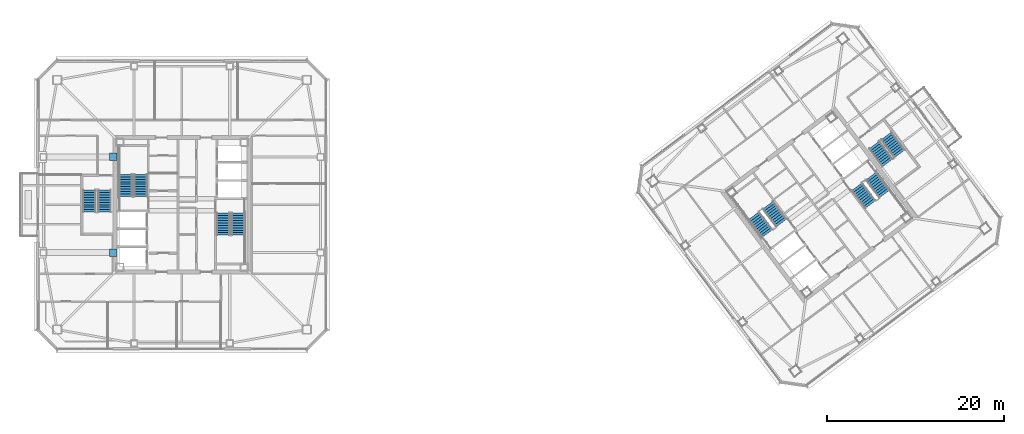
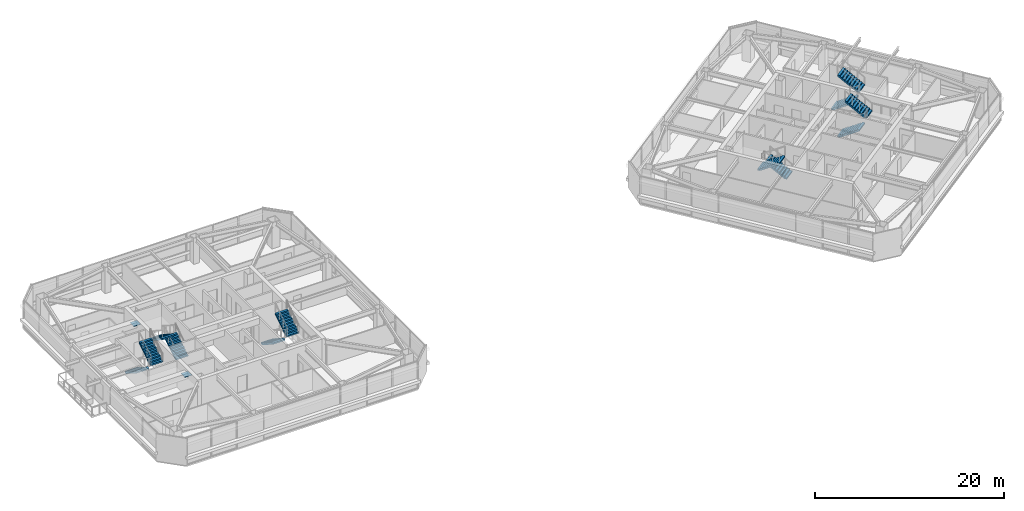
# One storey, part 33 of 39: 12 stair flights, 2 discrete accessories, 6 elements without a shape of their own.
"""IFC4 building model written with IfcOpenShell, lengths in metres."""

from ifc_helpers import new_model, si_unit, direction, frame, origin, origin_2d, place, context, subcontext, project, spatial, polyline, rectangle, outline, extrude, material, type_object, element, aggregate, save


model = new_model("IFC4")

# Units and contexts
model_context = context("Model", 3, precision=1e-05, world=origin(), true_north=direction((0.0, 1.0)))
body_context = subcontext(model_context, "Body", "Model", "MODEL_VIEW")
ifc_project = project(units=[si_unit("LENGTHUNIT", "METRE"), si_unit("AREAUNIT", "SQUARE_METRE"), si_unit("VOLUMEUNIT", "CUBIC_METRE"), si_unit("PLANEANGLEUNIT", "RADIAN"), si_unit("MASSUNIT", "GRAM", prefix="KILO")], contexts=[model_context])

# Site, building, storey
site_placement = place(None, origin())
site = spatial("IfcSite", under=ifc_project, at=site_placement, CompositionType="ELEMENT")
building_placement = place(site_placement, origin())
building = spatial("IfcBuilding", under=site, at=building_placement, Name="Tashvorn Skyway Center", CompositionType="ELEMENT")
storey_placement = place(building_placement, frame((0.0, 0.0, 214.85009765625)))
storey = spatial("IfcBuildingStorey", under=building, at=storey_placement, Name="L58", CompositionType="ELEMENT", Elevation=214.85009765625)

# Stair, stair flights
ifc_material_1 = material(Name="Concrete C40/50", Category="concrete")
stair_type = type_object("IfcStairType", Name="STAIR-CORE-1500", PredefinedType="HALF_TURN_STAIR", material=ifc_material_1)
stair_1_placement = place(storey_placement, origin())
stair_1 = element("IfcStair", 1, at=stair_1_placement, inside=storey, type_object=stair_type, Name="L58 Tower 1 Exit Stair 1", PredefinedType="HALF_TURN_STAIR")
stair_flight_type = type_object("IfcStairFlightType", Name="SFLIGHT-1500", PredefinedType="STRAIGHT", material=ifc_material_1)
stair_flight_1_placement = place(storey_placement, frame((37.35009765625, 32.919921875, 0.0), z_axis=(0.0, 0.0, 1.0), x_axis=(0.0, 1.0, 0.0)))
stair_flight_1 = element("IfcStairFlight", 2, at=stair_flight_1_placement, type_object=stair_flight_type, Name="ST-T1-1 flight 1", NumberOfRisers=10, NumberOfTreads=9, PredefinedType="STRAIGHT", RiserHeight=0.1775, TreadLength=0.28, context=body_context, shape_type="SweptSolid", body=[
    extrude(outline(polyline([(0.0, 0.0), (0.0, 0.177490234375), (0.280029296875, 0.177490234375), (0.280029296875, 0.35498046875), (0.56005859375, 0.35498046875), (0.56005859375, 0.532470703125), (0.840087890625, 0.532470703125), (0.840087890625, 0.7099609375), (1.1201171875, 0.7099609375), (1.1201171875, 0.887451171875), (1.39990234375, 0.887451171875), (1.39990234375, 1.06494140625), (1.679931640625, 1.06494140625), (1.679931640625, 1.242431640625), (1.9599609375, 1.242431640625), (1.9599609375, 1.419921875), (2.239990234375, 1.419921875), (2.239990234375, 1.597412109375), (2.52001953125, 1.597412109375), (2.52001953125, 1.77490234375), (2.52001953125, 1.419921875), (0.280029296875, 0.0), (0.0, 0.0)])), frame((0.0, 0.75, 0.0), z_axis=(0.0, -1.0, 0.0), x_axis=(1.0, 0.0, 0.0)), (0.0, 0.0, 1.0), 1.5),
])
stair_flight_2_placement = place(storey_placement, frame((35.64990234375, 35.43994140625, 1.77490234375), z_axis=(0.0, 0.0, 1.0), x_axis=(0.0, -1.0, 0.0)))
stair_flight_2 = element("IfcStairFlight", 3, at=stair_flight_2_placement, type_object=stair_flight_type, Name="ST-T1-1 flight 2", NumberOfRisers=10, NumberOfTreads=9, PredefinedType="STRAIGHT", RiserHeight=0.1775, TreadLength=0.28, context=body_context, shape_type="SweptSolid", body=[
    extrude(outline(polyline([(0.0, 0.0), (0.0, 0.177490234375), (0.280029296875, 0.177490234375), (0.280029296875, 0.35498046875), (0.56005859375, 0.35498046875), (0.56005859375, 0.532470703125), (0.840087890625, 0.532470703125), (0.840087890625, 0.7099609375), (1.1201171875, 0.7099609375), (1.1201171875, 0.887451171875), (1.39990234375, 0.887451171875), (1.39990234375, 1.06494140625), (1.679931640625, 1.06494140625), (1.679931640625, 1.242431640625), (1.9599609375, 1.242431640625), (1.9599609375, 1.419921875), (2.239990234375, 1.419921875), (2.239990234375, 1.597412109375), (2.52001953125, 1.597412109375), (2.52001953125, 1.77490234375), (2.52001953125, 1.419921875), (0.280029296875, 0.0), (0.0, 0.0)])), frame((0.0, 0.75, 0.0), z_axis=(0.0, -1.0, 0.0), x_axis=(1.0, 0.0, 0.0)), (0.0, 0.0, 1.0), 1.5),
])
aggregate(stair_1, [stair_flight_1, stair_flight_2])

stair_2_placement = place(storey_placement, origin())
stair_2 = element("IfcStair", 4, at=stair_2_placement, inside=storey, type_object=stair_type, Name="L58 Tower 1 Exit Stair 2", PredefinedType="HALF_TURN_STAIR")
stair_flight_3_placement = place(storey_placement, frame((46.64990234375, 31.080078125, 0.0), z_axis=(0.0, 0.0, 1.0), x_axis=(0.0, -1.0, 0.0)))
stair_flight_3 = element("IfcStairFlight", 5, at=stair_flight_3_placement, type_object=stair_flight_type, Name="ST-T1-2 flight 1", NumberOfRisers=10, NumberOfTreads=9, PredefinedType="STRAIGHT", RiserHeight=0.1775, TreadLength=0.28, context=body_context, shape_type="SweptSolid", body=[
    extrude(outline(polyline([(0.0, 0.0), (0.0, 0.177490234375), (0.280029296875, 0.177490234375), (0.280029296875, 0.35498046875), (0.56005859375, 0.35498046875), (0.56005859375, 0.532470703125), (0.840087890625, 0.532470703125), (0.840087890625, 0.7099609375), (1.1201171875, 0.7099609375), (1.1201171875, 0.887451171875), (1.39990234375, 0.887451171875), (1.39990234375, 1.06494140625), (1.679931640625, 1.06494140625), (1.679931640625, 1.242431640625), (1.9599609375, 1.242431640625), (1.9599609375, 1.419921875), (2.239990234375, 1.419921875), (2.239990234375, 1.597412109375), (2.52001953125, 1.597412109375), (2.52001953125, 1.77490234375), (2.52001953125, 1.419921875), (0.280029296875, 0.0), (0.0, 0.0)])), frame((0.0, 0.75, 0.0), z_axis=(0.0, -1.0, 0.0), x_axis=(1.0, 0.0, 0.0)), (0.0, 0.0, 1.0), 1.5),
])
stair_flight_4_placement = place(storey_placement, frame((48.35009765625, 28.56005859375, 1.77490234375), z_axis=(0.0, 0.0, 1.0), x_axis=(0.0, 1.0, 0.0)))
stair_flight_4 = element("IfcStairFlight", 6, at=stair_flight_4_placement, type_object=stair_flight_type, Name="ST-T1-2 flight 2", NumberOfRisers=10, NumberOfTreads=9, PredefinedType="STRAIGHT", RiserHeight=0.1775, TreadLength=0.28, context=body_context, shape_type="SweptSolid", body=[
    extrude(outline(polyline([(0.0, 0.0), (0.0, 0.177490234375), (0.280029296875, 0.177490234375), (0.280029296875, 0.35498046875), (0.56005859375, 0.35498046875), (0.56005859375, 0.532470703125), (0.840087890625, 0.532470703125), (0.840087890625, 0.7099609375), (1.1201171875, 0.7099609375), (1.1201171875, 0.887451171875), (1.39990234375, 0.887451171875), (1.39990234375, 1.06494140625), (1.679931640625, 1.06494140625), (1.679931640625, 1.242431640625), (1.9599609375, 1.242431640625), (1.9599609375, 1.419921875), (2.239990234375, 1.419921875), (2.239990234375, 1.597412109375), (2.52001953125, 1.597412109375), (2.52001953125, 1.77490234375), (2.52001953125, 1.419921875), (0.280029296875, 0.0), (0.0, 0.0)])), frame((0.0, 0.75, 0.0), z_axis=(0.0, -1.0, 0.0), x_axis=(1.0, 0.0, 0.0)), (0.0, 0.0, 1.0), 1.5),
])
aggregate(stair_2, [stair_flight_3, stair_flight_4])

stair_3_placement = place(storey_placement, origin())
stair_3 = element("IfcStair", 7, at=stair_3_placement, inside=storey, type_object=stair_type, Name="L58 Tower 2 Exit Stair 1", PredefinedType="HALF_TURN_STAIR")
stair_flight_5_placement = place(storey_placement, frame((109.72802734375, 29.946044921875, 0.0), z_axis=(0.0, 0.0, 1.0), x_axis=(-0.600000004945, 0.799999996291, 0.0)))
stair_flight_5 = element("IfcStairFlight", 8, at=stair_flight_5_placement, type_object=stair_flight_type, Name="ST-T2-1 flight 1", NumberOfRisers=10, NumberOfTreads=9, PredefinedType="STRAIGHT", RiserHeight=0.1775, TreadLength=0.28, context=body_context, shape_type="SweptSolid", body=[
    extrude(outline(polyline([(0.0, 0.0), (0.0, 0.177490234375), (0.280029296875, 0.177490234375), (0.280029296875, 0.35498046875), (0.56005859375, 0.35498046875), (0.56005859375, 0.532470703125), (0.840087890625, 0.532470703125), (0.840087890625, 0.7099609375), (1.1201171875, 0.7099609375), (1.1201171875, 0.887451171875), (1.39990234375, 0.887451171875), (1.39990234375, 1.06494140625), (1.679931640625, 1.06494140625), (1.679931640625, 1.242431640625), (1.9599609375, 1.242431640625), (1.9599609375, 1.419921875), (2.239990234375, 1.419921875), (2.239990234375, 1.597412109375), (2.52001953125, 1.597412109375), (2.52001953125, 1.77490234375), (2.52001953125, 1.419921875), (0.280029296875, 0.0), (0.0, 0.0)])), frame((0.0, 0.75, 0.0), z_axis=(0.0, -1.0, 0.0), x_axis=(1.0, 0.0, 0.0)), (0.0, 0.0, 1.0), 1.5),
])
stair_flight_6_placement = place(storey_placement, frame((106.632080078125, 30.77392578125, 1.77490234375), z_axis=(0.0, 0.0, 1.0), x_axis=(0.600000004945, -0.799999996291, 0.0)))
stair_flight_6 = element("IfcStairFlight", 9, at=stair_flight_6_placement, type_object=stair_flight_type, Name="ST-T2-1 flight 2", NumberOfRisers=10, NumberOfTreads=9, PredefinedType="STRAIGHT", RiserHeight=0.1775, TreadLength=0.28, context=body_context, shape_type="SweptSolid", body=[
    extrude(outline(polyline([(0.0, 0.0), (0.0, 0.177490234375), (0.280029296875, 0.177490234375), (0.280029296875, 0.35498046875), (0.56005859375, 0.35498046875), (0.56005859375, 0.532470703125), (0.840087890625, 0.532470703125), (0.840087890625, 0.7099609375), (1.1201171875, 0.7099609375), (1.1201171875, 0.887451171875), (1.39990234375, 0.887451171875), (1.39990234375, 1.06494140625), (1.679931640625, 1.06494140625), (1.679931640625, 1.242431640625), (1.9599609375, 1.242431640625), (1.9599609375, 1.419921875), (2.239990234375, 1.419921875), (2.239990234375, 1.597412109375), (2.52001953125, 1.597412109375), (2.52001953125, 1.77490234375), (2.52001953125, 1.419921875), (0.280029296875, 0.0), (0.0, 0.0)])), frame((0.0, 0.75, 0.0), z_axis=(0.0, -1.0, 0.0), x_axis=(1.0, 0.0, 0.0)), (0.0, 0.0, 1.0), 1.5),
])
aggregate(stair_3, [stair_flight_5, stair_flight_6])

stair_4_placement = place(storey_placement, origin())
stair_4 = element("IfcStair", 10, at=stair_4_placement, inside=storey, type_object=stair_type, Name="L58 Tower 2 Exit Stair 2", PredefinedType="HALF_TURN_STAIR")
stair_flight_7_placement = place(storey_placement, frame((118.27197265625, 34.053955078125, 0.0), z_axis=(0.0, 0.0, 1.0), x_axis=(0.600000004945, -0.799999996291, 0.0)))
stair_flight_7 = element("IfcStairFlight", 11, at=stair_flight_7_placement, type_object=stair_flight_type, Name="ST-T2-2 flight 1", NumberOfRisers=10, NumberOfTreads=9, PredefinedType="STRAIGHT", RiserHeight=0.1775, TreadLength=0.28, context=body_context, shape_type="SweptSolid", body=[
    extrude(outline(polyline([(0.0, 0.0), (0.0, 0.177490234375), (0.280029296875, 0.177490234375), (0.280029296875, 0.35498046875), (0.56005859375, 0.35498046875), (0.56005859375, 0.532470703125), (0.840087890625, 0.532470703125), (0.840087890625, 0.7099609375), (1.1201171875, 0.7099609375), (1.1201171875, 0.887451171875), (1.39990234375, 0.887451171875), (1.39990234375, 1.06494140625), (1.679931640625, 1.06494140625), (1.679931640625, 1.242431640625), (1.9599609375, 1.242431640625), (1.9599609375, 1.419921875), (2.239990234375, 1.419921875), (2.239990234375, 1.597412109375), (2.52001953125, 1.597412109375), (2.52001953125, 1.77490234375), (2.52001953125, 1.419921875), (0.280029296875, 0.0), (0.0, 0.0)])), frame((0.0, 0.75, 0.0), z_axis=(0.0, -1.0, 0.0), x_axis=(1.0, 0.0, 0.0)), (0.0, 0.0, 1.0), 1.5),
])
stair_flight_8_placement = place(storey_placement, frame((121.367919921875, 33.22607421875, 1.77490234375), z_axis=(0.0, 0.0, 1.0), x_axis=(-0.600000004945, 0.799999996291, 0.0)))
stair_flight_8 = element("IfcStairFlight", 12, at=stair_flight_8_placement, type_object=stair_flight_type, Name="ST-T2-2 flight 2", NumberOfRisers=10, NumberOfTreads=9, PredefinedType="STRAIGHT", RiserHeight=0.1775, TreadLength=0.28, context=body_context, shape_type="SweptSolid", body=[
    extrude(outline(polyline([(0.0, 0.0), (0.0, 0.177490234375), (0.280029296875, 0.177490234375), (0.280029296875, 0.35498046875), (0.56005859375, 0.35498046875), (0.56005859375, 0.532470703125), (0.840087890625, 0.532470703125), (0.840087890625, 0.7099609375), (1.1201171875, 0.7099609375), (1.1201171875, 0.887451171875), (1.39990234375, 0.887451171875), (1.39990234375, 1.06494140625), (1.679931640625, 1.06494140625), (1.679931640625, 1.242431640625), (1.9599609375, 1.242431640625), (1.9599609375, 1.419921875), (2.239990234375, 1.419921875), (2.239990234375, 1.597412109375), (2.52001953125, 1.597412109375), (2.52001953125, 1.77490234375), (2.52001953125, 1.419921875), (0.280029296875, 0.0), (0.0, 0.0)])), frame((0.0, 0.75, 0.0), z_axis=(0.0, -1.0, 0.0), x_axis=(1.0, 0.0, 0.0)), (0.0, 0.0, 1.0), 1.5),
])
aggregate(stair_4, [stair_flight_7, stair_flight_8])

stair_5_placement = place(storey_placement, origin())
stair_5 = element("IfcStair", 13, at=stair_5_placement, inside=storey, type_object=stair_type, Name="L58 Tower 1 Exit Stair 3", PredefinedType="HALF_TURN_STAIR")
stair_flight_9_placement = place(storey_placement, frame((31.550048828125, 33.679931640625, 0.0), z_axis=(0.0, 0.0, 1.0), x_axis=(0.0, -1.0, 0.0)))
stair_flight_9 = element("IfcStairFlight", 14, at=stair_flight_9_placement, type_object=stair_flight_type, Name="ST-T1-3 flight 1", NumberOfRisers=10, NumberOfTreads=9, PredefinedType="STRAIGHT", RiserHeight=0.1775, TreadLength=0.28, context=body_context, shape_type="SweptSolid", body=[
    extrude(outline(polyline([(0.0, 0.0), (0.0, 0.177490234375), (0.280029296875, 0.177490234375), (0.280029296875, 0.35498046875), (0.56005859375, 0.35498046875), (0.56005859375, 0.532470703125), (0.840087890625, 0.532470703125), (0.840087890625, 0.7099609375), (1.1201171875, 0.7099609375), (1.1201171875, 0.887451171875), (1.39990234375, 0.887451171875), (1.39990234375, 1.06494140625), (1.679931640625, 1.06494140625), (1.679931640625, 1.242431640625), (1.9599609375, 1.242431640625), (1.9599609375, 1.419921875), (2.239990234375, 1.419921875), (2.239990234375, 1.597412109375), (2.52001953125, 1.597412109375), (2.52001953125, 1.77490234375), (2.52001953125, 1.419921875), (0.280029296875, 0.0), (0.0, 0.0)])), frame((0.0, 0.75, 0.0), z_axis=(0.0, -1.0, 0.0), x_axis=(1.0, 0.0, 0.0)), (0.0, 0.0, 1.0), 1.5),
])
stair_flight_10_placement = place(storey_placement, frame((33.25, 31.159912109375, 1.77490234375), z_axis=(0.0, 0.0, 1.0), x_axis=(0.0, 1.0, 0.0)))
stair_flight_10 = element("IfcStairFlight", 15, at=stair_flight_10_placement, type_object=stair_flight_type, Name="ST-T1-3 flight 2", NumberOfRisers=10, NumberOfTreads=9, PredefinedType="STRAIGHT", RiserHeight=0.1775, TreadLength=0.28, context=body_context, shape_type="SweptSolid", body=[
    extrude(outline(polyline([(0.0, 0.0), (0.0, 0.177490234375), (0.280029296875, 0.177490234375), (0.280029296875, 0.35498046875), (0.56005859375, 0.35498046875), (0.56005859375, 0.532470703125), (0.840087890625, 0.532470703125), (0.840087890625, 0.7099609375), (1.1201171875, 0.7099609375), (1.1201171875, 0.887451171875), (1.39990234375, 0.887451171875), (1.39990234375, 1.06494140625), (1.679931640625, 1.06494140625), (1.679931640625, 1.242431640625), (1.9599609375, 1.242431640625), (1.9599609375, 1.419921875), (2.239990234375, 1.419921875), (2.239990234375, 1.597412109375), (2.52001953125, 1.597412109375), (2.52001953125, 1.77490234375), (2.52001953125, 1.419921875), (0.280029296875, 0.0), (0.0, 0.0)])), frame((0.0, 0.75, 0.0), z_axis=(0.0, -1.0, 0.0), x_axis=(1.0, 0.0, 0.0)), (0.0, 0.0, 1.0), 1.5),
])
aggregate(stair_5, [stair_flight_9, stair_flight_10])

stair_6_placement = place(storey_placement, origin())
stair_6 = element("IfcStair", 16, at=stair_6_placement, inside=storey, type_object=stair_type, Name="L58 Tower 2 Exit Stair 3", PredefinedType="HALF_TURN_STAIR")
stair_flight_11_placement = place(storey_placement, frame((120.216064453125, 38.761962890625, 0.0), z_axis=(0.0, 0.0, 1.0), x_axis=(0.600000004945, -0.799999996291, 0.0)))
stair_flight_11 = element("IfcStairFlight", 17, at=stair_flight_11_placement, type_object=stair_flight_type, Name="ST-T2-3 flight 1", NumberOfRisers=10, NumberOfTreads=9, PredefinedType="STRAIGHT", RiserHeight=0.1775, TreadLength=0.28, context=body_context, shape_type="SweptSolid", body=[
    extrude(outline(polyline([(0.0, 0.0), (0.0, 0.177490234375), (0.280029296875, 0.177490234375), (0.280029296875, 0.35498046875), (0.56005859375, 0.35498046875), (0.56005859375, 0.532470703125), (0.840087890625, 0.532470703125), (0.840087890625, 0.7099609375), (1.1201171875, 0.7099609375), (1.1201171875, 0.887451171875), (1.39990234375, 0.887451171875), (1.39990234375, 1.06494140625), (1.679931640625, 1.06494140625), (1.679931640625, 1.242431640625), (1.9599609375, 1.242431640625), (1.9599609375, 1.419921875), (2.239990234375, 1.419921875), (2.239990234375, 1.597412109375), (2.52001953125, 1.597412109375), (2.52001953125, 1.77490234375), (2.52001953125, 1.419921875), (0.280029296875, 0.0), (0.0, 0.0)])), frame((0.0, 0.75, 0.0), z_axis=(0.0, -1.0, 0.0), x_axis=(1.0, 0.0, 0.0)), (0.0, 0.0, 1.0), 1.5),
])
stair_flight_12_placement = place(storey_placement, frame((123.087890625, 37.76611328125, 1.77490234375), z_axis=(0.0, 0.0, 1.0), x_axis=(-0.600000004945, 0.799999996291, 0.0)))
stair_flight_12 = element("IfcStairFlight", 18, at=stair_flight_12_placement, type_object=stair_flight_type, Name="ST-T2-3 flight 2", NumberOfRisers=10, NumberOfTreads=9, PredefinedType="STRAIGHT", RiserHeight=0.1775, TreadLength=0.28, context=body_context, shape_type="SweptSolid", body=[
    extrude(outline(polyline([(0.0, 0.0), (0.0, 0.177490234375), (0.280029296875, 0.177490234375), (0.280029296875, 0.35498046875), (0.56005859375, 0.35498046875), (0.56005859375, 0.532470703125), (0.840087890625, 0.532470703125), (0.840087890625, 0.7099609375), (1.1201171875, 0.7099609375), (1.1201171875, 0.887451171875), (1.39990234375, 0.887451171875), (1.39990234375, 1.06494140625), (1.679931640625, 1.06494140625), (1.679931640625, 1.242431640625), (1.9599609375, 1.242431640625), (1.9599609375, 1.419921875), (2.239990234375, 1.419921875), (2.239990234375, 1.597412109375), (2.52001953125, 1.597412109375), (2.52001953125, 1.77490234375), (2.52001953125, 1.419921875), (0.280029296875, 0.0), (0.0, 0.0)])), frame((0.0, 0.75, 0.0), z_axis=(0.0, -1.0, 0.0), x_axis=(1.0, 0.0, 0.0)), (0.0, 0.0, 1.0), 1.5),
])
aggregate(stair_6, [stair_flight_11, stair_flight_12])

# Discrete accessories
ifc_material_2 = material(Name="Steel ASTM A572 Grade 50", Category="steel")
discrete_accessory_type = type_object("IfcDiscreteAccessoryType", Name="ACC-EMBED-45", PredefinedType="USERDEFINED", material=ifc_material_2)
for number, where, z_axis, x_axis, name in (
    (19, (34.219970703125, 26.60009765625, 2.847412109375), (0.0, 0.0, 1.0), (1.0, 0.0, 0.0), "Sky-Park Core Wall Cast-In Steel Embed Plate 1"),
    (20, (34.219970703125, 37.39990234375, 2.847412109375), (0.0, 0.0, 1.0), (1.0, 0.0, 0.0), "Sky-Park Core Wall Cast-In Steel Embed Plate 2"),
):
    element("IfcDiscreteAccessory", number, at=place(storey_placement, frame(where, z_axis=z_axis, x_axis=x_axis)), inside=storey, type_object=discrete_accessory_type, Name=name, ObjectType="EMBED PLATE", PredefinedType="USERDEFINED", context=body_context, shape_type="SweptSolid", body=[
        extrude(rectangle(XDim=0.85009765625, YDim=0.85009765625, at=origin_2d()), origin(), (0.0, 0.0, 1.0), 0.044921875),
    ])

save(model, "model.ifc")
